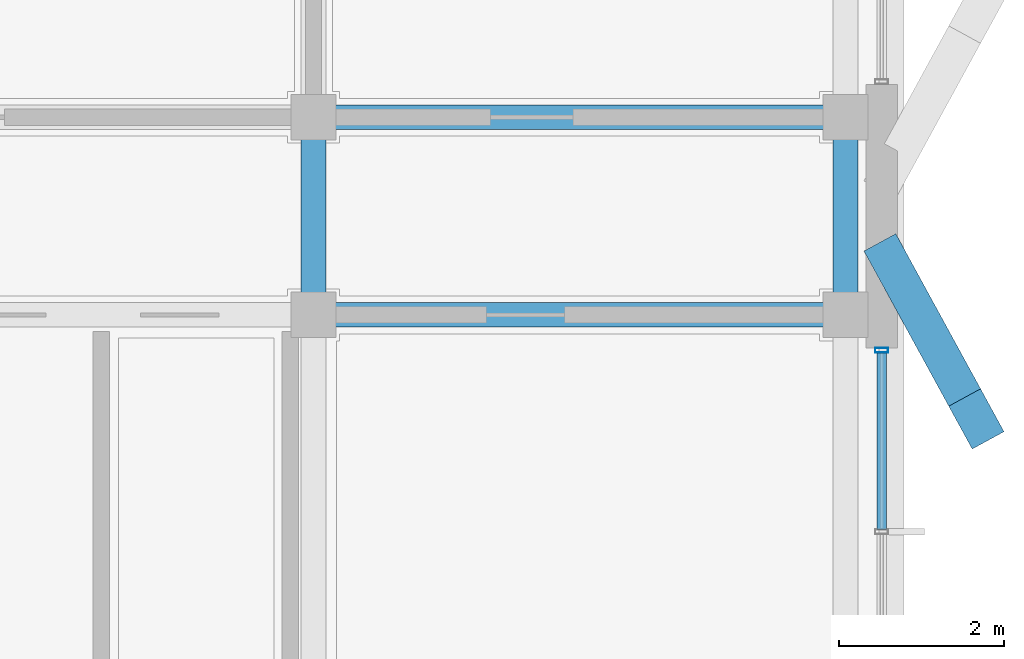
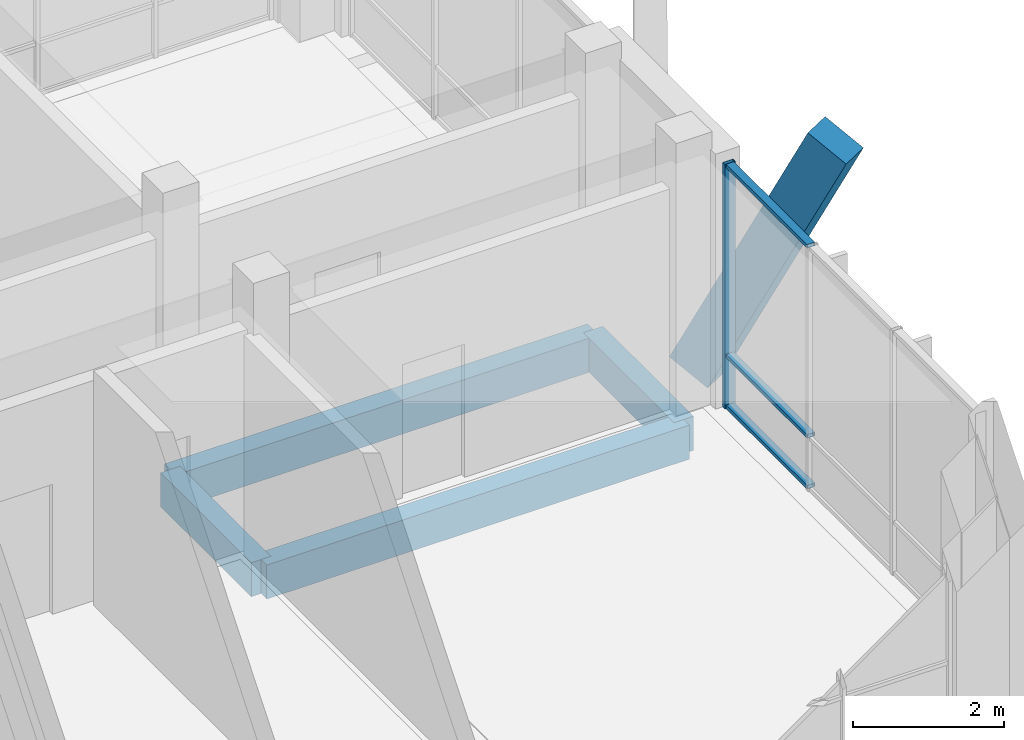
# One storey, part 173 of 233: 5 members, 4 beams, 1 element without a shape of its own.
"""IFC4 building model written with IfcOpenShell, lengths in metres."""

from ifc_helpers import new_model, si_unit, direction, frame, origin, origin_2d, place, context, subcontext, project, spatial, rectangle, hollow_rectangle, extrude, material, material_profile, profile_set, type_object, element, aggregate, save


model = new_model("IFC4")

# Units and contexts
model_context = context("Model", 3, precision=1e-05, world=origin(), true_north=direction((0.0, 1.0)))
body_context = subcontext(model_context, "Body", "Model", "MODEL_VIEW")
ifc_project = project(units=[si_unit("LENGTHUNIT", "METRE"), si_unit("AREAUNIT", "SQUARE_METRE"), si_unit("VOLUMEUNIT", "CUBIC_METRE"), si_unit("PLANEANGLEUNIT", "RADIAN"), si_unit("MASSUNIT", "GRAM", prefix="KILO")], contexts=[model_context])

# Site, building, storey
site_placement = place(None, origin())
site = spatial("IfcSite", under=ifc_project, at=site_placement, CompositionType="ELEMENT")
building_placement = place(site_placement, origin())
building = spatial("IfcBuilding", under=site, at=building_placement, Name="Zavelmont Quarter", CompositionType="ELEMENT")
storey_placement = place(building_placement, origin())
storey = spatial("IfcBuildingStorey", under=building, at=storey_placement, Name="L00", CompositionType="ELEMENT", Elevation=0.0)

# Beams
ifc_material_1 = material(Name="Concrete C35/45", Category="concrete")
ifc_material_profile_1 = material_profile(ifc_material_1, rectangle(XDim=0.300048828125, YDim=0.550048828125, at=origin_2d()), Name="RC300X550")
ifc_profile_set_1 = profile_set([ifc_material_profile_1], Name="Concrete C35/45")
beam_type = type_object("IfcBeamType", Name="BM02", PredefinedType="SPANDREL", material=ifc_profile_set_1)
for number, where, z_axis, x_axis, name in (
    (1, (161.10009765625, 105.60009765625, -0.594970703125), (1.0, 0.0, 0.0), (0.0, 1.0, 0.0), "L00 beam BM02 24/Q to 25/Q"),
    (2, (161.10009765625, 108.0, -0.594970703125), (1.0, 0.0, 0.0), (0.0, 1.0, 0.0), "L00 beam BM02 24/R to 25/R"),
):
    element("IfcBeam", number, at=place(storey_placement, frame(where, z_axis=z_axis, x_axis=x_axis)), inside=storey, type_object=beam_type, Name=name, PredefinedType="SPANDREL", context=body_context, shape_type="SweptSolid", body=[
        extrude(rectangle(XDim=0.300048828125, YDim=0.550048828125, at=origin_2d()), origin(), (0.0, 0.0, 1.0), 6.4599609375),
    ])
for number, where, z_axis, x_axis, name in (
    (3, (161.10009765625, 105.60009765625, -0.594970703125), (0.0, 1.0, 0.0), (-1.0, 0.0, 0.0), "L00 beam BM02 24/Q to 24/R"),
    (4, (167.56005859375, 105.60009765625, -0.594970703125), (0.0, 1.0, 0.0), (-1.0, 0.0, 0.0), "L00 beam BM02 25/Q to 25/R"),
):
    element("IfcBeam", number, at=place(storey_placement, frame(where, z_axis=z_axis, x_axis=x_axis)), inside=storey, type_object=beam_type, Name=name, PredefinedType="SPANDREL", context=body_context, shape_type="SweptSolid", body=[
        extrude(rectangle(XDim=0.300048828125, YDim=0.550048828125, at=origin_2d()), origin(), (0.0, 0.0, 1.0), 2.39990234375),
    ])

# Curtain wall, members
ifc_material_2 = material(Name="Thermally broken aluminium and double low-E safety glazing", Category="aluminium")
curtain_wall_type = type_object("IfcCurtainWallType", Name="CW-670X395", PredefinedType="NOTDEFINED", material=ifc_material_2)
curtain_wall_placement = place(storey_placement, origin())
curtain_wall = element("IfcCurtainWall", 5, at=curtain_wall_placement, inside=storey, type_object=curtain_wall_type, Name="L00 unitised curtain wall CW-670X395", PredefinedType="NOTDEFINED")
ifc_material_3 = material(Name="Powder-coated aluminium EN AW-6063-T6", Category="aluminium")
ifc_material_profile_2 = material_profile(ifc_material_3, hollow_rectangle(XDim=0.06005859375, YDim=0.159912109375, WallThickness=0.00390625, at=origin_2d()), Name="CWM60X160")
ifc_profile_set_2 = profile_set([ifc_material_profile_2], Name="Powder-coated aluminium EN AW-6063-T6")
member_type_1 = type_object("IfcMemberType", Name="CWM01", PredefinedType="MULLION", material=ifc_profile_set_2)
member_1_placement = place(storey_placement, frame((168.0, 105.169921875, 0.0), z_axis=(0.0, 0.0, 1.0), x_axis=(0.0, 1.0, 0.0)))
member_1 = element("IfcMember", 6, at=member_1_placement, type_object=member_type_1, Name="CW-670X395 mullion 4", PredefinedType="MULLION", context=body_context, shape_type="SweptSolid", body=[
    extrude(hollow_rectangle(XDim=0.06005859375, YDim=0.159912109375, WallThickness=0.00390625, at=origin_2d()), origin(), (0.0, 0.0, 1.0), 3.949951171875),
])
ifc_material_profile_3 = material_profile(ifc_material_3, hollow_rectangle(XDim=0.1201171875, YDim=0.06005859375, WallThickness=0.00390625, at=origin_2d()), Name="CWT60X120")
ifc_profile_set_3 = profile_set([ifc_material_profile_3], Name="Powder-coated aluminium EN AW-6063-T6")
member_type_2 = type_object("IfcMemberType", Name="CWT01", PredefinedType="NOTDEFINED", material=ifc_profile_set_3)
member_2_placement = place(storey_placement, frame((168.0, 102.99658203125, 0.030029296875), z_axis=(0.0, 1.0, 0.0), x_axis=(-1.0, 0.0, 0.0)))
member_2 = element("IfcMember", 7, at=member_2_placement, type_object=member_type_2, Name="CW-670X395 transom 3.1", ObjectType="TRANSOM", PredefinedType="USERDEFINED", context=body_context, shape_type="SweptSolid", body=[
    extrude(hollow_rectangle(XDim=0.1201171875, YDim=0.06005859375, WallThickness=0.00390625, at=origin_2d()), origin(), (0.0, 0.0, 1.0), 2.143310546875),
])
member_3_placement = place(storey_placement, frame((168.0, 102.99658203125, 0.85009765625), z_axis=(0.0, 1.0, 0.0), x_axis=(-1.0, 0.0, 0.0)))
member_3 = element("IfcMember", 8, at=member_3_placement, type_object=member_type_2, Name="CW-670X395 transom 3.2", ObjectType="TRANSOM", PredefinedType="USERDEFINED", context=body_context, shape_type="SweptSolid", body=[
    extrude(hollow_rectangle(XDim=0.1201171875, YDim=0.06005859375, WallThickness=0.00390625, at=origin_2d()), origin(), (0.0, 0.0, 1.0), 2.143310546875),
])
member_4_placement = place(storey_placement, frame((168.0, 102.99658203125, 3.919921875), z_axis=(0.0, 1.0, 0.0), x_axis=(-1.0, 0.0, 0.0)))
member_4 = element("IfcMember", 9, at=member_4_placement, type_object=member_type_2, Name="CW-670X395 transom 3.3", ObjectType="TRANSOM", PredefinedType="USERDEFINED", context=body_context, shape_type="SweptSolid", body=[
    extrude(hollow_rectangle(XDim=0.1201171875, YDim=0.06005859375, WallThickness=0.00390625, at=origin_2d()), origin(), (0.0, 0.0, 1.0), 2.143310546875),
])
aggregate(curtain_wall, [member_1, member_2, member_3, member_4])

# Member
ifc_material_4 = material(Name="White architectural precast concrete C40/50", Category="concrete")
ifc_material_profile_4 = material_profile(ifc_material_4, rectangle(XDim=0.43994140625, YDim=0.659912109375, at=origin_2d()), Name="PCR320X480")
ifc_profile_set_4 = profile_set([ifc_material_profile_4], Name="White architectural precast concrete C40/50")
member_type_3 = type_object("IfcMemberType", Name="VR01M", PredefinedType="CHORD", material=ifc_profile_set_4)
member_5_placement = place(storey_placement, frame((168.1201171875, 106.219970703125, 0.0), z_axis=(0.210347189113, -0.384738872453, 0.898738037504), x_axis=(0.877425743859, 0.47971248057, 0.0)))
element("IfcMember", 10, at=member_5_placement, inside=storey, type_object=member_type_3, Name="L00 member VR01M 25/Q to 25/Q", PredefinedType="CHORD", context=body_context, shape_type="SweptSolid", body=[
    extrude(rectangle(XDim=0.43994140625, YDim=0.659912109375, at=origin_2d()), origin(), (0.0, 0.0, 1.0), 4.895751953125),
])

save(model, "model.ifc")
